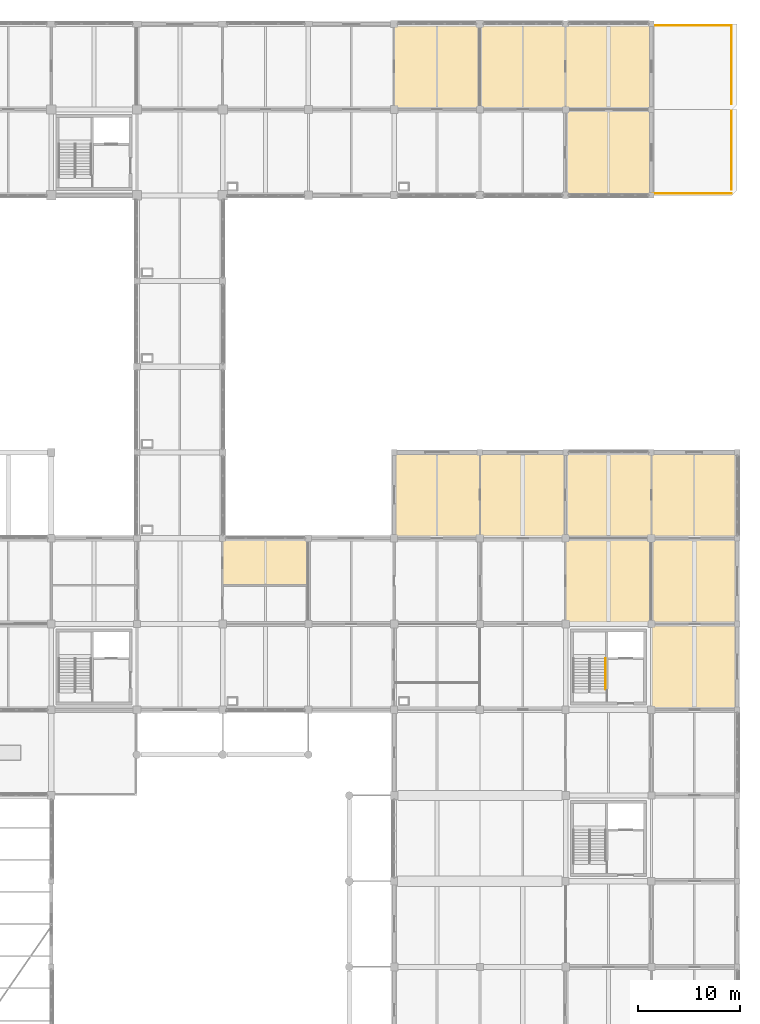
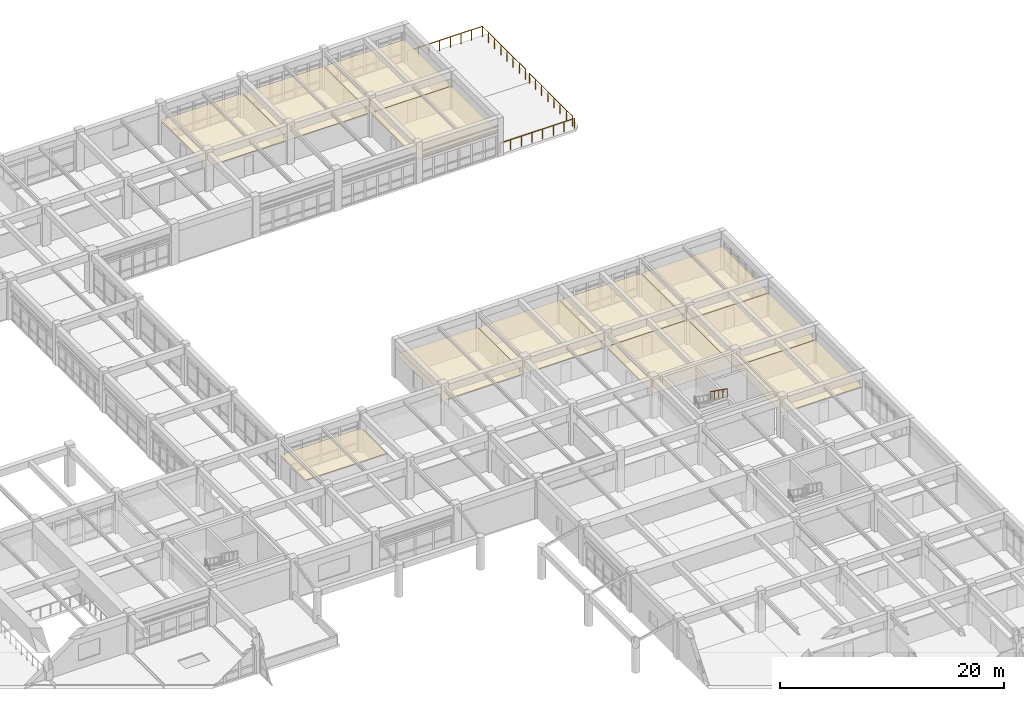
# One storey, part 99 of 99: 12 coverings, 5 railings.
"""IFC4 building model written with IfcOpenShell, lengths in metres."""

from ifc_helpers import new_model, si_unit, direction, frame, origin, origin_2d, place, context, subcontext, project, spatial, polyline, circle, outline, extrude, material, layer, layer_set, type_object, element, save


model = new_model("IFC4")

# Units and contexts
model_context = context("Model", 3, precision=1e-05, world=origin(), true_north=direction((0.0, 1.0)))
body_context = subcontext(model_context, "Body", "Model", "MODEL_VIEW")
ifc_project = project(units=[si_unit("LENGTHUNIT", "METRE"), si_unit("AREAUNIT", "SQUARE_METRE"), si_unit("VOLUMEUNIT", "CUBIC_METRE"), si_unit("PLANEANGLEUNIT", "RADIAN"), si_unit("MASSUNIT", "GRAM", prefix="KILO")], contexts=[model_context])

# Site, building, storey
site_placement = place(None, origin())
site = spatial("IfcSite", under=ifc_project, at=site_placement, CompositionType="ELEMENT")
building_placement = place(site_placement, origin())
building = spatial("IfcBuilding", under=site, at=building_placement, Name="Porcellanite Civic Hall", CompositionType="ELEMENT")
storey_placement = place(building_placement, frame((0.0, 0.0, 5.760009765625)))
storey = spatial("IfcBuildingStorey", under=building, at=storey_placement, Name="L01", CompositionType="ELEMENT", Elevation=5.760009765625)

# Coverings
ifc_material_1 = material(Name="Perforated acoustic mineral-fibre and spotted-gum batten ceiling")
ifc_layer = layer(ifc_material_1, 0.02490234375)
ifc_layer_set = layer_set([ifc_layer], Name="Perforated acoustic mineral-fibre and spotted-gum batten ceiling")
covering_type = type_object("IfcCoveringType", Name="COV-CL1", PredefinedType="CEILING", material=ifc_layer_set)
covering_1_placement = place(storey_placement, frame((0.0, 0.0, 2.375)))
element("IfcCovering", 1, at=covering_1_placement, inside=storey, type_object=covering_type, Name="Acoustic ceiling Map and Charter Room L01-B", PredefinedType="CEILING", context=body_context, shape_type="SweptSolid", body=[
    extrude(outline(polyline([(126.010009765625, 62.610107421875), (134.389892578125, 62.610107421875), (134.389892578125, 67.18994140625), (126.010009765625, 67.18994140625), (126.010009765625, 62.610107421875)])), origin(), (0.0, 0.0, 1.0), 0.02490234375),
])
covering_2_placement = place(storey_placement, frame((0.0, 0.0, 2.375)))
element("IfcCovering", 2, at=covering_2_placement, inside=storey, type_object=covering_type, Name="Acoustic ceiling Map and Charter Collection Room L01-86", PredefinedType="CEILING", context=body_context, shape_type="SweptSolid", body=[
    extrude(outline(polyline([(142.81005859375, 67.2099609375), (151.18994140625, 67.2099609375), (151.18994140625, 75.590087890625), (142.81005859375, 75.590087890625), (142.81005859375, 67.2099609375)])), origin(), (0.0, 0.0, 1.0), 0.02490234375),
])
covering_3_placement = place(storey_placement, frame((0.0, 0.0, 2.375)))
element("IfcCovering", 3, at=covering_3_placement, inside=storey, type_object=covering_type, Name="Acoustic ceiling Customer Relations Office L01-88", PredefinedType="CEILING", context=body_context, shape_type="SweptSolid", body=[
    extrude(outline(polyline([(142.81005859375, 109.2099609375), (151.18994140625, 109.2099609375), (151.18994140625, 117.590087890625), (142.81005859375, 117.590087890625), (142.81005859375, 109.2099609375)])), origin(), (0.0, 0.0, 1.0), 0.02490234375),
])
covering_4_placement = place(storey_placement, frame((0.0, 0.0, 2.375)))
element("IfcCovering", 4, at=covering_4_placement, inside=storey, type_object=covering_type, Name="Acoustic ceiling Hansard Bound Volumes Office L01-93", PredefinedType="CEILING", context=body_context, shape_type="SweptSolid", body=[
    extrude(outline(polyline([(151.2099609375, 67.2099609375), (159.590087890625, 67.2099609375), (159.590087890625, 75.590087890625), (151.2099609375, 75.590087890625), (151.2099609375, 67.2099609375)])), origin(), (0.0, 0.0, 1.0), 0.02490234375),
])
covering_5_placement = place(storey_placement, frame((0.0, 0.0, 2.375)))
element("IfcCovering", 5, at=covering_5_placement, inside=storey, type_object=covering_type, Name="Acoustic ceiling Municipal Finance Office L01-95", PredefinedType="CEILING", context=body_context, shape_type="SweptSolid", body=[
    extrude(outline(polyline([(151.2099609375, 109.2099609375), (159.590087890625, 109.2099609375), (159.590087890625, 117.590087890625), (151.2099609375, 117.590087890625), (151.2099609375, 109.2099609375)])), origin(), (0.0, 0.0, 1.0), 0.02490234375),
])
covering_6_placement = place(storey_placement, frame((0.0, 0.0, 2.375)))
element("IfcCovering", 6, at=covering_6_placement, inside=storey, type_object=covering_type, Name="Acoustic ceiling Legislative Indexing Office L01-101", PredefinedType="CEILING", context=body_context, shape_type="SweptSolid", body=[
    extrude(outline(polyline([(159.610107421875, 58.81005859375), (167.989990234375, 58.81005859375), (167.989990234375, 67.18994140625), (159.610107421875, 67.18994140625), (159.610107421875, 58.81005859375)])), origin(), (0.0, 0.0, 1.0), 0.02490234375),
])
covering_7_placement = place(storey_placement, frame((0.0, 0.0, 2.375)))
element("IfcCovering", 7, at=covering_7_placement, inside=storey, type_object=covering_type, Name="Acoustic ceiling Hansard Bound Volumes Office L01-102", PredefinedType="CEILING", context=body_context, shape_type="SweptSolid", body=[
    extrude(outline(polyline([(159.610107421875, 67.2099609375), (167.989990234375, 67.2099609375), (167.989990234375, 75.590087890625), (159.610107421875, 75.590087890625), (159.610107421875, 67.2099609375)])), origin(), (0.0, 0.0, 1.0), 0.02490234375),
])
covering_8_placement = place(storey_placement, frame((0.0, 0.0, 2.375)))
element("IfcCovering", 8, at=covering_8_placement, inside=storey, type_object=covering_type, Name="Acoustic ceiling Customer Relations Office L01-103", PredefinedType="CEILING", context=body_context, shape_type="SweptSolid", body=[
    extrude(outline(polyline([(159.610107421875, 100.81005859375), (167.989990234375, 100.81005859375), (167.989990234375, 109.18994140625), (159.610107421875, 109.18994140625), (159.610107421875, 100.81005859375)])), origin(), (0.0, 0.0, 1.0), 0.02490234375),
])
covering_9_placement = place(storey_placement, frame((0.0, 0.0, 2.375)))
element("IfcCovering", 9, at=covering_9_placement, inside=storey, type_object=covering_type, Name="Acoustic ceiling Municipal Finance Office L01-104", PredefinedType="CEILING", context=body_context, shape_type="SweptSolid", body=[
    extrude(outline(polyline([(159.610107421875, 109.2099609375), (167.989990234375, 109.2099609375), (167.989990234375, 117.590087890625), (159.610107421875, 117.590087890625), (159.610107421875, 109.2099609375)])), origin(), (0.0, 0.0, 1.0), 0.02490234375),
])
covering_10_placement = place(storey_placement, frame((0.0, 0.0, 2.375)))
element("IfcCovering", 10, at=covering_10_placement, inside=storey, type_object=covering_type, Name="Acoustic ceiling Legislative Indexing Office L01-111", PredefinedType="CEILING", context=body_context, shape_type="SweptSolid", body=[
    extrude(outline(polyline([(168.010009765625, 50.409912109375), (176.389892578125, 50.409912109375), (176.389892578125, 58.7900390625), (168.010009765625, 58.7900390625), (168.010009765625, 50.409912109375)])), origin(), (0.0, 0.0, 1.0), 0.02490234375),
])
covering_11_placement = place(storey_placement, frame((0.0, 0.0, 2.375)))
element("IfcCovering", 11, at=covering_11_placement, inside=storey, type_object=covering_type, Name="Acoustic ceiling Hansard Bound Volumes Office L01-112", PredefinedType="CEILING", context=body_context, shape_type="SweptSolid", body=[
    extrude(outline(polyline([(168.010009765625, 58.81005859375), (176.389892578125, 58.81005859375), (176.389892578125, 67.18994140625), (168.010009765625, 67.18994140625), (168.010009765625, 58.81005859375)])), origin(), (0.0, 0.0, 1.0), 0.02490234375),
])
covering_12_placement = place(storey_placement, frame((0.0, 0.0, 2.375)))
element("IfcCovering", 12, at=covering_12_placement, inside=storey, type_object=covering_type, Name="Acoustic ceiling Map and Charter Collection Room L01-113", PredefinedType="CEILING", context=body_context, shape_type="SweptSolid", body=[
    extrude(outline(polyline([(168.010009765625, 67.2099609375), (176.389892578125, 67.2099609375), (176.389892578125, 75.590087890625), (168.010009765625, 75.590087890625), (168.010009765625, 67.2099609375)])), origin(), (0.0, 0.0, 1.0), 0.02490234375),
])

# Railings
ifc_material_2 = material(Name="Stainless steel 316", Category="steel")
railing_type_1 = type_object("IfcRailingType", Name="RL-BAL112", PredefinedType="BALUSTRADE", material=ifc_material_2)
railing_1_placement = place(storey_placement, frame((168.159912109375, 100.9599609375, 0.0)))
element("IfcRailing", 13, at=railing_1_placement, inside=storey, type_object=railing_type_1, Name="Terrace balustrade L01 S 21-13", PredefinedType="BALUSTRADE", context=body_context, shape_type="SweptSolid", body=[
    extrude(circle(Radius=0.02490234375, at=origin_2d()), frame((0.0, 0.0, 1.09521484375), z_axis=(1.0, 0.0, 0.0), x_axis=(0.0, 1.0, 0.0)), (0.0, 0.0, 1.0), 7.690185546875),
    extrude(circle(Radius=0.02197265625, at=origin_2d()), origin(), (0.0, 0.0, 1.0), 1.070068359375),
    extrude(circle(Radius=0.02197265625, at=origin_2d()), frame((1.0986328125, 0.0, 0.0)), (0.0, 0.0, 1.0), 1.070068359375),
    extrude(circle(Radius=0.02197265625, at=origin_2d()), frame((2.197265625, 0.0, 0.0)), (0.0, 0.0, 1.0), 1.070068359375),
    extrude(circle(Radius=0.02197265625, at=origin_2d()), frame((3.2958984375, 0.0, 0.0)), (0.0, 0.0, 1.0), 1.070068359375),
    extrude(circle(Radius=0.02197265625, at=origin_2d()), frame((4.394287109375, 0.0, 0.0)), (0.0, 0.0, 1.0), 1.070068359375),
    extrude(circle(Radius=0.02197265625, at=origin_2d()), frame((5.492919921875, 0.0, 0.0)), (0.0, 0.0, 1.0), 1.070068359375),
    extrude(circle(Radius=0.02197265625, at=origin_2d()), frame((6.591552734375, 0.0, 0.0)), (0.0, 0.0, 1.0), 1.070068359375),
    extrude(circle(Radius=0.02197265625, at=origin_2d()), frame((7.690185546875, 0.0, 0.0)), (0.0, 0.0, 1.0), 1.070068359375),
])
railing_2_placement = place(storey_placement, frame((175.85009765625, 101.35009765625, 0.0)))
element("IfcRailing", 14, at=railing_2_placement, inside=storey, type_object=railing_type_1, Name="Terrace balustrade L01 E 21-13", PredefinedType="BALUSTRADE", context=body_context, shape_type="SweptSolid", body=[
    extrude(circle(Radius=0.02490234375, at=origin_2d()), frame((0.0, 0.0, 1.09521484375), z_axis=(0.0, 1.0, 0.0), x_axis=(-1.0, 0.0, 0.0)), (0.0, 0.0, 1.0), 7.68994140625),
    extrude(circle(Radius=0.02197265625, at=origin_2d()), origin(), (0.0, 0.0, 1.0), 1.070068359375),
    extrude(circle(Radius=0.02197265625, at=origin_2d()), frame((0.0, 1.0986328125, 0.0)), (0.0, 0.0, 1.0), 1.070068359375),
    extrude(circle(Radius=0.02197265625, at=origin_2d()), frame((0.0, 2.197021484375, 0.0)), (0.0, 0.0, 1.0), 1.070068359375),
    extrude(circle(Radius=0.02197265625, at=origin_2d()), frame((0.0, 3.295654296875, 0.0)), (0.0, 0.0, 1.0), 1.070068359375),
    extrude(circle(Radius=0.02197265625, at=origin_2d()), frame((0.0, 4.394287109375, 0.0)), (0.0, 0.0, 1.0), 1.070068359375),
    extrude(circle(Radius=0.02197265625, at=origin_2d()), frame((0.0, 5.492919921875, 0.0)), (0.0, 0.0, 1.0), 1.070068359375),
    extrude(circle(Radius=0.02197265625, at=origin_2d()), frame((0.0, 6.59130859375, 0.0)), (0.0, 0.0, 1.0), 1.070068359375),
    extrude(circle(Radius=0.02197265625, at=origin_2d()), frame((0.0, 7.68994140625, 0.0)), (0.0, 0.0, 1.0), 1.070068359375),
])
ifc_material_3 = material(Name="Brushed stainless steel 316", Category="steel")
railing_type_2 = type_object("IfcRailingType", Name="RL-HR950", PredefinedType="HANDRAIL", material=ifc_material_3)
railing_3_placement = place(storey_placement, frame((163.514892578125, 55.425048828125, 2.340087890625)))
element("IfcRailing", 15, at=railing_3_placement, inside=storey, type_object=railing_type_2, Name="Stair handrail ST-08 L01 4", PredefinedType="HANDRAIL", context=body_context, shape_type="SweptSolid", body=[
    extrude(circle(Radius=0.02197265625, at=origin_2d()), frame((0.0, 0.0, 0.927978515625), z_axis=(0.0, -0.813848840085, 0.581076643389), x_axis=(1.0, 0.0, 0.0)), (0.0, 0.0, 1.0), 3.717041015625),
    extrude(circle(Radius=0.01904296875, at=origin_2d()), origin(), (0.0, 0.0, 1.0), 0.906005859375),
    extrude(circle(Radius=0.01904296875, at=origin_2d()), frame((0.0, -0.75634765625, 0.5400390625)), (0.0, 0.0, 1.0), 0.906005859375),
    extrude(circle(Radius=0.01904296875, at=origin_2d()), frame((0.0, -1.5126953125, 1.080078125)), (0.0, 0.0, 1.0), 0.906005859375),
    extrude(circle(Radius=0.01904296875, at=origin_2d()), frame((0.0, -2.268798828125, 1.619873046875)), (0.0, 0.0, 1.0), 0.906005859375),
    extrude(circle(Radius=0.01904296875, at=origin_2d()), frame((0.0, -3.025146484375, 2.159912109375)), (0.0, 0.0, 1.0), 0.906005859375),
])
ifc_material_4 = material(Name="Anodised aluminium 6063-T6", Category="aluminium")
railing_type_3 = type_object("IfcRailingType", Name="RL-TER115", PredefinedType="BALUSTRADE", material=ifc_material_4)
railing_4_placement = place(storey_placement, frame((168.159912109375, 117.43994140625, 0.0)))
element("IfcRailing", 16, at=railing_4_placement, inside=storey, type_object=railing_type_3, Name="Terrace balustrade L01 N 21-14", PredefinedType="BALUSTRADE", context=body_context, shape_type="SweptSolid", body=[
    extrude(circle(Radius=0.02490234375, at=origin_2d()), frame((0.0, 0.0, 1.125), z_axis=(1.0, 0.0, 0.0), x_axis=(0.0, 1.0, 0.0)), (0.0, 0.0, 1.0), 7.690185546875),
    extrude(circle(Radius=0.02197265625, at=origin_2d()), origin(), (0.0, 0.0, 1.0), 1.099853515625),
    extrude(circle(Radius=0.02197265625, at=origin_2d()), frame((1.0986328125, 0.0, 0.0)), (0.0, 0.0, 1.0), 1.099853515625),
    extrude(circle(Radius=0.02197265625, at=origin_2d()), frame((2.197265625, 0.0, 0.0)), (0.0, 0.0, 1.0), 1.099853515625),
    extrude(circle(Radius=0.02197265625, at=origin_2d()), frame((3.2958984375, 0.0, 0.0)), (0.0, 0.0, 1.0), 1.099853515625),
    extrude(circle(Radius=0.02197265625, at=origin_2d()), frame((4.394287109375, 0.0, 0.0)), (0.0, 0.0, 1.0), 1.099853515625),
    extrude(circle(Radius=0.02197265625, at=origin_2d()), frame((5.492919921875, 0.0, 0.0)), (0.0, 0.0, 1.0), 1.099853515625),
    extrude(circle(Radius=0.02197265625, at=origin_2d()), frame((6.591552734375, 0.0, 0.0)), (0.0, 0.0, 1.0), 1.099853515625),
    extrude(circle(Radius=0.02197265625, at=origin_2d()), frame((7.690185546875, 0.0, 0.0)), (0.0, 0.0, 1.0), 1.099853515625),
])
railing_5_placement = place(storey_placement, frame((175.85009765625, 109.75, 0.0)))
element("IfcRailing", 17, at=railing_5_placement, inside=storey, type_object=railing_type_3, Name="Terrace balustrade L01 E 21-14", PredefinedType="BALUSTRADE", context=body_context, shape_type="SweptSolid", body=[
    extrude(circle(Radius=0.02490234375, at=origin_2d()), frame((0.0, 0.0, 1.125), z_axis=(0.0, 1.0, 0.0), x_axis=(-1.0, 0.0, 0.0)), (0.0, 0.0, 1.0), 7.68994140625),
    extrude(circle(Radius=0.02197265625, at=origin_2d()), origin(), (0.0, 0.0, 1.0), 1.099853515625),
    extrude(circle(Radius=0.02197265625, at=origin_2d()), frame((0.0, 1.0986328125, 0.0)), (0.0, 0.0, 1.0), 1.099853515625),
    extrude(circle(Radius=0.02197265625, at=origin_2d()), frame((0.0, 2.197021484375, 0.0)), (0.0, 0.0, 1.0), 1.099853515625),
    extrude(circle(Radius=0.02197265625, at=origin_2d()), frame((0.0, 3.295654296875, 0.0)), (0.0, 0.0, 1.0), 1.099853515625),
    extrude(circle(Radius=0.02197265625, at=origin_2d()), frame((0.0, 4.394287109375, 0.0)), (0.0, 0.0, 1.0), 1.099853515625),
    extrude(circle(Radius=0.02197265625, at=origin_2d()), frame((0.0, 5.492919921875, 0.0)), (0.0, 0.0, 1.0), 1.099853515625),
    extrude(circle(Radius=0.02197265625, at=origin_2d()), frame((0.0, 6.59130859375, 0.0)), (0.0, 0.0, 1.0), 1.099853515625),
    extrude(circle(Radius=0.02197265625, at=origin_2d()), frame((0.0, 7.68994140625, 0.0)), (0.0, 0.0, 1.0), 1.099853515625),
])

save(model, "model.ifc")
